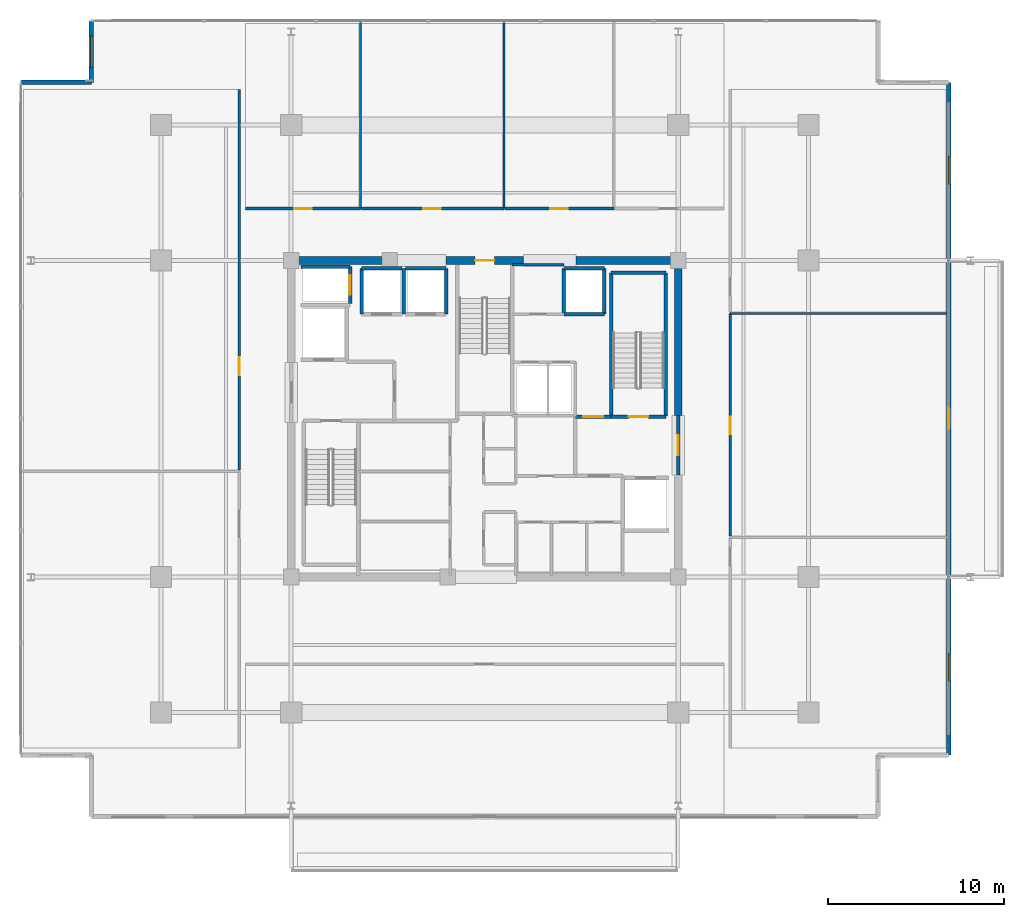
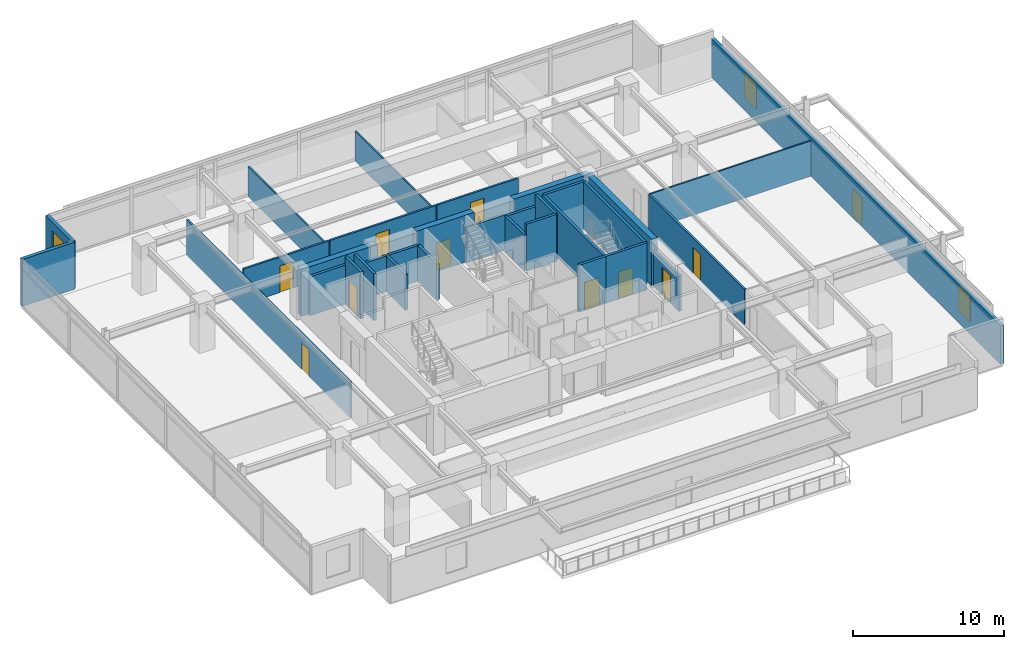
# One storey, part 18 of 24: 33 walls, 11 doors, 3 windows, 14 openings.
"""IFC4 building model written with IfcOpenShell, lengths in metres."""

from ifc_helpers import new_model, si_unit, direction, frame, frame_2d, origin, place, context, subcontext, project, spatial, rectangle, extrude, material, layer, layer_set, type_object, element, fill, save


model = new_model("IFC4")

# Units and contexts
model_context = context("Model", 3, precision=1e-05, world=origin(), true_north=direction((0.0, 1.0)))
body_context = subcontext(model_context, "Body", "Model", "MODEL_VIEW")
ifc_project = project(units=[si_unit("LENGTHUNIT", "METRE"), si_unit("AREAUNIT", "SQUARE_METRE"), si_unit("VOLUMEUNIT", "CUBIC_METRE"), si_unit("PLANEANGLEUNIT", "RADIAN"), si_unit("MASSUNIT", "GRAM", prefix="KILO")], contexts=[model_context])

# Site, building, storey
site_placement = place(None, origin())
site = spatial("IfcSite", under=ifc_project, at=site_placement, CompositionType="ELEMENT")
building_placement = place(site_placement, origin())
building = spatial("IfcBuilding", under=site, at=building_placement, Name="Kovane Verandah Tower", CompositionType="ELEMENT")
storey_placement = place(building_placement, frame((0.0, 0.0, 259.199951171875)))
storey = spatial("IfcBuildingStorey", under=building, at=storey_placement, Name="L60", CompositionType="ELEMENT", Elevation=259.199951171875)

# Wall
ifc_material_1 = material(Name="Fire-Rated Gypsum Stud Partition", Category="gypsum")
ifc_layer_1 = layer(ifc_material_1, 0.14990234375)
ifc_layer_set_1 = layer_set([ifc_layer_1], Name="Fire-Rated Gypsum Stud Partition")
wall_type_1 = type_object("IfcWallType", Name="WL-COR-150", PredefinedType="PARTITIONING", material=ifc_layer_set_1)
wall_1_placement = place(storey_placement, frame((41.56005859375, 36.25, 0.0), z_axis=(0.0, 0.0, 1.0), x_axis=(1.0, 0.0, 0.0)))
element("IfcWall", 1, at=wall_1_placement, inside=storey, type_object=wall_type_1, Name="L60 Sky Telecom Riser North Wall", PredefinedType="PARTITIONING", context=body_context, shape_type="SweptSolid", body=[
    extrude(rectangle(XDim=2.93994140625, YDim=0.14990234375, at=frame_2d((1.469970703125, 0.0))), origin(), (0.0, 0.0, 1.0), 2.85009765625),
])

# Wall, opening, door
wall_2_placement = place(storey_placement, frame((26.39990234375, 39.449951171875, 0.0), z_axis=(0.0, 0.0, 1.0), x_axis=(1.0, 0.0, 0.0)))
wall_2 = element("IfcWall", 2, at=wall_2_placement, inside=storey, type_object=wall_type_1, Name="L60 Breakout Pantry N1 Corridor Partition", PredefinedType="PARTITIONING", context=body_context, shape_type="SweptSolid", body=[
    extrude(rectangle(XDim=6.528076171875, YDim=0.14990234375, at=frame_2d((3.26416015625, 0.0))), origin(), (0.0, 0.0, 1.0), 2.85009765625),
])
opening_1_placement = place(wall_2_placement, frame((2.779052734375, 0.0, 0.0)))
opening_1 = element("IfcOpeningElement", 3, at=opening_1_placement, cuts=wall_2, Name="Opening DR-L60-024", PredefinedType="OPENING", context=body_context, shape_type="SweptSolid", body=[
    extrude(rectangle(XDim=1.0, YDim=2.14990234375, at=frame_2d((0.5, 1.074951171875))), frame((0.0, 0.074951171875, 0.0), z_axis=(0.0, -1.0, 0.0), x_axis=(1.0, 0.0, 0.0)), (0.0, 0.0, 1.0), 0.14990234375),
])
ifc_material_2 = material(Name="FSC Spotted-Gum Timber Fire-Rated Office Door", Category="wood")
door_type_1 = type_object("IfcDoorType", Name="DR-OFF-1000", OperationType="SINGLE_SWING_LEFT", PredefinedType="DOOR", material=ifc_material_2)
door_1_placement = place(opening_1_placement, origin())
door_1 = element("IfcDoor", 4, at=door_1_placement, inside=storey, type_object=door_type_1, Name="L60 Breakout Pantry N1 Entrance Door", OperationType="SINGLE_SWING_LEFT", OverallHeight=2.14990234375, OverallWidth=1.0, PredefinedType="DOOR", context=body_context, shape_type="SweptSolid", body=[
    extrude(rectangle(XDim=1.0, YDim=2.14990234375, at=frame_2d((0.5, 1.074951171875))), frame((0.0, 0.02490234375, 0.0), z_axis=(0.0, -1.0, 0.0), x_axis=(1.0, 0.0, 0.0)), (0.0, 0.0, 1.0), 0.050048828125),
])
fill(opening_1, door_1)

wall_3_placement = place(storey_placement, frame((32.998046875, 39.449951171875, 0.0), z_axis=(0.0, 0.0, 1.0), x_axis=(1.0, 0.0, 0.0)))
wall_3 = element("IfcWall", 5, at=wall_3_placement, inside=storey, type_object=wall_type_1, Name="L60 Collaboration Hub N2 Corridor Partition", PredefinedType="PARTITIONING", context=body_context, shape_type="SweptSolid", body=[
    extrude(rectangle(XDim=8.08984375, YDim=0.14990234375, at=frame_2d((4.044921875, 0.0))), origin(), (0.0, 0.0, 1.0), 2.85009765625),
])
opening_2_placement = place(wall_3_placement, frame((3.510009765625, 0.0, 0.0)))
opening_2 = element("IfcOpeningElement", 6, at=opening_2_placement, cuts=wall_3, Name="Opening DR-L60-025", PredefinedType="OPENING", context=body_context, shape_type="SweptSolid", body=[
    extrude(rectangle(XDim=1.0, YDim=2.14990234375, at=frame_2d((0.5, 1.074951171875))), frame((0.0, 0.074951171875, 0.0), z_axis=(0.0, -1.0, 0.0), x_axis=(1.0, 0.0, 0.0)), (0.0, 0.0, 1.0), 0.14990234375),
])
door_2_placement = place(opening_2_placement, origin())
door_2 = element("IfcDoor", 7, at=door_2_placement, inside=storey, type_object=door_type_1, Name="L60 Collaboration Hub N2 Entrance Door", OperationType="SINGLE_SWING_RIGHT", OverallHeight=2.14990234375, OverallWidth=1.0, PredefinedType="DOOR", context=body_context, shape_type="SweptSolid", body=[
    extrude(rectangle(XDim=1.0, YDim=2.14990234375, at=frame_2d((0.5, 1.074951171875))), frame((0.0, 0.02490234375, 0.0), z_axis=(0.0, -1.0, 0.0), x_axis=(1.0, 0.0, 0.0)), (0.0, 0.0, 1.0), 0.050048828125),
])
fill(opening_2, door_2)

wall_4_placement = place(storey_placement, frame((41.157958984375, 39.449951171875, 0.0), z_axis=(0.0, 0.0, 1.0), x_axis=(1.0, 0.0, 0.0)))
wall_4 = element("IfcWall", 8, at=wall_4_placement, inside=storey, type_object=wall_type_1, Name="L60 Document and Print Room N3 Corridor Partition", PredefinedType="PARTITIONING", context=body_context, shape_type="SweptSolid", body=[
    extrude(rectangle(XDim=6.18603515625, YDim=0.14990234375, at=frame_2d((3.093017578125, 0.0))), origin(), (0.0, 0.0, 1.0), 2.85009765625),
])
opening_3_placement = place(wall_4_placement, frame((2.55810546875, 0.0, 0.0)))
opening_3 = element("IfcOpeningElement", 9, at=opening_3_placement, cuts=wall_4, Name="Opening DR-L60-026", PredefinedType="OPENING", context=body_context, shape_type="SweptSolid", body=[
    extrude(rectangle(XDim=1.0, YDim=2.14990234375, at=frame_2d((0.5, 1.074951171875))), frame((0.0, 0.074951171875, 0.0), z_axis=(0.0, -1.0, 0.0), x_axis=(1.0, 0.0, 0.0)), (0.0, 0.0, 1.0), 0.14990234375),
])
door_3_placement = place(opening_3_placement, origin())
door_3 = element("IfcDoor", 10, at=door_3_placement, inside=storey, type_object=door_type_1, Name="L60 Document and Print Room N3 Entrance Door", OperationType="SINGLE_SWING_LEFT", OverallHeight=2.14990234375, OverallWidth=1.0, PredefinedType="DOOR", context=body_context, shape_type="SweptSolid", body=[
    extrude(rectangle(XDim=1.0, YDim=2.14990234375, at=frame_2d((0.5, 1.074951171875))), frame((0.0, 0.02490234375, 0.0), z_axis=(0.0, -1.0, 0.0), x_axis=(1.0, 0.0, 0.0)), (0.0, 0.0, 1.0), 0.050048828125),
])
fill(opening_3, door_3)

wall_5_placement = place(storey_placement, frame((26.050048828125, 24.5751953125, 0.0), z_axis=(0.0, 0.0, 1.0), x_axis=(0.0, 1.0, 0.0)))
wall_5 = element("IfcWall", 11, at=wall_5_placement, inside=storey, type_object=wall_type_1, Name="L60 Meeting Room W2 Corridor Partition", PredefinedType="PARTITIONING", context=body_context, shape_type="SweptSolid", body=[
    extrude(rectangle(XDim=21.64306640625, YDim=0.14990234375, at=frame_2d((10.821533203125, 0.0))), origin(), (0.0, 0.0, 1.0), 2.85009765625),
])
opening_4_placement = place(wall_5_placement, frame((5.412353515625, 0.0, 0.0)))
opening_4 = element("IfcOpeningElement", 12, at=opening_4_placement, cuts=wall_5, Name="Opening DR-L60-033", PredefinedType="OPENING", context=body_context, shape_type="SweptSolid", body=[
    extrude(rectangle(XDim=1.0, YDim=2.14990234375, at=frame_2d((0.5, 1.074951171875))), frame((0.0, 0.074951171875, 0.0), z_axis=(0.0, -1.0, 0.0), x_axis=(1.0, 0.0, 0.0)), (0.0, 0.0, 1.0), 0.14990234375),
])
door_4_placement = place(opening_4_placement, origin())
door_4 = element("IfcDoor", 13, at=door_4_placement, inside=storey, type_object=door_type_1, Name="L60 Meeting Room W2 Entrance Door", OperationType="SINGLE_SWING_LEFT", OverallHeight=2.14990234375, OverallWidth=1.0, PredefinedType="DOOR", context=body_context, shape_type="SweptSolid", body=[
    extrude(rectangle(XDim=1.0, YDim=2.14990234375, at=frame_2d((0.5, 1.074951171875))), frame((0.0, 0.02490234375, 0.0), z_axis=(0.0, -1.0, 0.0), x_axis=(1.0, 0.0, 0.0)), (0.0, 0.0, 1.0), 0.050048828125),
])
fill(opening_4, door_4)

wall_6_placement = place(storey_placement, frame((53.949951171875, 20.831298828125, 0.0), z_axis=(0.0, 0.0, 1.0), x_axis=(0.0, 1.0, 0.0)))
wall_6 = element("IfcWall", 14, at=wall_6_placement, inside=storey, type_object=wall_type_1, Name="L60 Breakout Pantry E2 Corridor Partition", PredefinedType="PARTITIONING", context=body_context, shape_type="SweptSolid", body=[
    extrude(rectangle(XDim=12.658447265625, YDim=0.14990234375, at=frame_2d((6.3291015625, 0.0))), origin(), (0.0, 0.0, 1.0), 2.85009765625),
])
opening_5_placement = place(wall_6_placement, frame((5.794189453125, 0.0, 0.0)))
opening_5 = element("IfcOpeningElement", 15, at=opening_5_placement, cuts=wall_6, Name="Opening DR-L60-012", PredefinedType="OPENING", context=body_context, shape_type="SweptSolid", body=[
    extrude(rectangle(XDim=1.0, YDim=2.14990234375, at=frame_2d((0.5, 1.074951171875))), frame((0.0, 0.074951171875, 0.0), z_axis=(0.0, -1.0, 0.0), x_axis=(1.0, 0.0, 0.0)), (0.0, 0.0, 1.0), 0.14990234375),
])
door_5_placement = place(opening_5_placement, origin())
door_5 = element("IfcDoor", 16, at=door_5_placement, inside=storey, type_object=door_type_1, Name="L60 Breakout Pantry E2 Entrance Door", OperationType="SINGLE_SWING_LEFT", OverallHeight=2.14990234375, OverallWidth=1.0, PredefinedType="DOOR", context=body_context, shape_type="SweptSolid", body=[
    extrude(rectangle(XDim=1.0, YDim=2.14990234375, at=frame_2d((0.5, 1.074951171875))), frame((0.0, 0.02490234375, 0.0), z_axis=(0.0, -1.0, 0.0), x_axis=(1.0, 0.0, 0.0)), (0.0, 0.0, 1.0), 0.050048828125),
])
fill(opening_5, door_5)

# Wall
ifc_material_3 = material(Name="Concrete C60/75", Category="concrete")
ifc_layer_2 = layer(ifc_material_3, 0.449951171875)
ifc_layer_set_2 = layer_set([ifc_layer_2], Name="Concrete C60/75")
wall_type_2 = type_object("IfcWallType", Name="WL-CORE-450", PredefinedType="SHEAR", material=ifc_layer_set_2)
wall_7_placement = place(storey_placement, frame((29.0, 36.5, 0.0), z_axis=(0.0, 0.0, 1.0), x_axis=(1.0, 0.0, 0.0)))
element("IfcWall", 17, at=wall_7_placement, inside=storey, type_object=wall_type_2, Name="L60 Core Shear Wall CN-1", PredefinedType="SHEAR", context=body_context, shape_type="SweptSolid", body=[
    extrude(rectangle(XDim=5.800048828125, YDim=0.449951171875, at=frame_2d((2.89990234375, 0.0))), origin(), (0.0, 0.0, 1.0), 3.78515625),
])

# Wall, opening, door
wall_8_placement = place(storey_placement, frame((37.800048828125, 36.5, 0.0), z_axis=(0.0, 0.0, 1.0), x_axis=(1.0, 0.0, 0.0)))
wall_8 = element("IfcWall", 18, at=wall_8_placement, inside=storey, type_object=wall_type_2, Name="L60 Core Shear Wall CN-2", PredefinedType="SHEAR", context=body_context, shape_type="SweptSolid", body=[
    extrude(rectangle(XDim=4.39990234375, YDim=0.449951171875, at=frame_2d((2.199951171875, 0.0))), origin(), (0.0, 0.0, 1.0), 3.78515625),
])
opening_6_placement = place(wall_8_placement, frame((1.64990234375, 0.0, 0.0)))
opening_6 = element("IfcOpeningElement", 19, at=opening_6_placement, cuts=wall_8, Name="Opening DR-L60-010", PredefinedType="OPENING", context=body_context, shape_type="SweptSolid", body=[
    extrude(rectangle(XDim=1.10009765625, YDim=2.14990234375, at=frame_2d((0.550048828125, 1.074951171875))), frame((0.0, 0.22509765625, 0.0), z_axis=(0.0, -1.0, 0.0), x_axis=(1.0, 0.0, 0.0)), (0.0, 0.0, 1.0), 0.449951171875),
])
ifc_material_4 = material(Name="Fire-Rated Steel Exit Door", Category="steel")
door_type_2 = type_object("IfcDoorType", Name="DR-STAIR-1100", OperationType="SINGLE_SWING_LEFT", PredefinedType="DOOR", material=ifc_material_4)
door_6_placement = place(opening_6_placement, origin())
door_6 = element("IfcDoor", 20, at=door_6_placement, inside=storey, type_object=door_type_2, Name="L60 ST-03 Fire Exit Stair Door", OperationType="SINGLE_SWING_LEFT", OverallHeight=2.14990234375, OverallWidth=1.10009765625, PredefinedType="DOOR", context=body_context, shape_type="SweptSolid", body=[
    extrude(rectangle(XDim=1.10009765625, YDim=2.14990234375, at=frame_2d((0.550048828125, 1.074951171875))), frame((0.0, 0.02490234375, 0.0), z_axis=(0.0, -1.0, 0.0), x_axis=(1.0, 0.0, 0.0)), (0.0, 0.0, 1.0), 0.050048828125),
])
fill(opening_6, door_6)

# Walls
wall_9_placement = place(storey_placement, frame((45.199951171875, 36.5, 0.0), z_axis=(0.0, 0.0, 1.0), x_axis=(1.0, 0.0, 0.0)))
element("IfcWall", 21, at=wall_9_placement, inside=storey, type_object=wall_type_2, Name="L60 Core Shear Wall CN-3", PredefinedType="SHEAR", context=body_context, shape_type="SweptSolid", body=[
    extrude(rectangle(XDim=5.800048828125, YDim=0.449951171875, at=frame_2d((2.89990234375, 0.0))), origin(), (0.0, 0.0, 1.0), 3.78515625),
])
wall_10_placement = place(storey_placement, frame((51.0, 27.699951171875, 0.0), z_axis=(0.0, 0.0, 1.0), x_axis=(0.0, 1.0, 0.0)))
element("IfcWall", 22, at=wall_10_placement, inside=storey, type_object=wall_type_2, Name="L60 Core Shear Wall CE-2", PredefinedType="SHEAR", context=body_context, shape_type="SweptSolid", body=[
    extrude(rectangle(XDim=8.800048828125, YDim=0.449951171875, at=frame_2d((4.39990234375, 0.0))), origin(), (0.0, 0.0, 1.0), 3.78515625),
])

# Wall, opening, door
ifc_material_5 = material(Name="Concrete C45/55 Fire Wall", Category="concrete")
ifc_layer_3 = layer(ifc_material_5, 0.199951171875)
ifc_layer_set_3 = layer_set([ifc_layer_3], Name="Concrete C45/55 Fire Wall")
wall_type_3 = type_object("IfcWallType", Name="WL-FFL-200", PredefinedType="PARTITIONING", material=ifc_layer_set_3)
wall_11_placement = place(storey_placement, frame((45.14990234375, 27.6201171875, 0.0), z_axis=(0.0, 0.0, 1.0), x_axis=(1.0, 0.0, 0.0)))
wall_11 = element("IfcWall", 23, at=wall_11_placement, inside=storey, type_object=wall_type_3, Name="W-L60-FFLE-N", PredefinedType="PARTITIONING", context=body_context, shape_type="SweptSolid", body=[
    extrude(rectangle(XDim=2.030029296875, YDim=0.199951171875, at=frame_2d((1.01513671875, 0.0))), origin(), (0.0, 0.0, 1.0), 3.78515625),
])
opening_7_placement = place(wall_11_placement, frame((0.43994140625, 0.0, 0.0)))
opening_7 = element("IfcOpeningElement", 24, at=opening_7_placement, cuts=wall_11, Name="Opening DR-L60-004", PredefinedType="OPENING", context=body_context, shape_type="SweptSolid", body=[
    extrude(rectangle(XDim=1.14990234375, YDim=2.199951171875, at=frame_2d((0.574951171875, 1.10009765625))), frame((0.0, 0.10009765625, 0.0), z_axis=(0.0, -1.0, 0.0), x_axis=(1.0, 0.0, 0.0)), (0.0, 0.0, 1.0), 0.199951171875),
])
ifc_material_6 = material(Name="Smoke-Sealed Firefighting Lobby Door", Category="steel")
door_type_3 = type_object("IfcDoorType", Name="DR-FFL-1150", OperationType="SINGLE_SWING_LEFT", PredefinedType="DOOR", material=ifc_material_6)
door_7_placement = place(opening_7_placement, origin())
door_7 = element("IfcDoor", 25, at=door_7_placement, inside=storey, type_object=door_type_3, Name="L60 East Firefighting Lobby Shuttle Link Door", OperationType="SINGLE_SWING_LEFT", OverallHeight=2.199951171875, OverallWidth=1.14990234375, PredefinedType="DOOR", context=body_context, shape_type="SweptSolid", body=[
    extrude(rectangle(XDim=1.14990234375, YDim=2.199951171875, at=frame_2d((0.574951171875, 1.10009765625))), frame((0.0, 0.02490234375, 0.0), z_axis=(0.0, -1.0, 0.0), x_axis=(1.0, 0.0, 0.0)), (0.0, 0.0, 1.0), 0.050048828125),
])
fill(opening_7, door_7)

wall_12_placement = place(storey_placement, frame((51.0, 24.300048828125, 0.0), z_axis=(0.0, 0.0, 1.0), x_axis=(0.0, 1.0, 0.0)))
wall_12 = element("IfcWall", 26, at=wall_12_placement, inside=storey, type_object=wall_type_3, Name="W-L60-FFLE-OUT", PredefinedType="PARTITIONING", context=body_context, shape_type="SweptSolid", body=[
    extrude(rectangle(XDim=3.39990234375, YDim=0.199951171875, at=frame_2d((1.699951171875, 0.0))), origin(), (0.0, 0.0, 1.0), 2.864990234375),
])
opening_8_placement = place(wall_12_placement, frame((1.125, 0.0, 0.0)))
opening_8 = element("IfcOpeningElement", 27, at=opening_8_placement, cuts=wall_12, Name="Opening DR-L60-005", PredefinedType="OPENING", context=body_context, shape_type="SweptSolid", body=[
    extrude(rectangle(XDim=1.14990234375, YDim=2.199951171875, at=frame_2d((0.574951171875, 1.10009765625))), frame((0.0, 0.10009765625, 0.0), z_axis=(0.0, -1.0, 0.0), x_axis=(1.0, 0.0, 0.0)), (0.0, 0.0, 1.0), 0.199951171875),
])
door_8_placement = place(opening_8_placement, origin())
door_8 = element("IfcDoor", 28, at=door_8_placement, inside=storey, type_object=door_type_3, Name="L60 East Firefighting Lobby Corridor Door", OperationType="SINGLE_SWING_LEFT", OverallHeight=2.199951171875, OverallWidth=1.14990234375, PredefinedType="DOOR", context=body_context, shape_type="SweptSolid", body=[
    extrude(rectangle(XDim=1.14990234375, YDim=2.199951171875, at=frame_2d((0.574951171875, 1.10009765625))), frame((0.0, 0.02490234375, 0.0), z_axis=(0.0, -1.0, 0.0), x_axis=(1.0, 0.0, 0.0)), (0.0, 0.0, 1.0), 0.050048828125),
])
fill(opening_8, door_8)

# Wall
ifc_material_7 = material(Name="Concrete C45/55 Lift Shaft Wall", Category="concrete")
ifc_layer_4 = layer(ifc_material_7, 0.199951171875)
ifc_layer_set_4 = layer_set([ifc_layer_4], Name="Concrete C45/55 Lift Shaft Wall")
wall_type_4 = type_object("IfcWallType", Name="WL-LIFT-200", PredefinedType="SOLIDWALL", material=ifc_layer_set_4)
wall_13_placement = place(storey_placement, frame((32.35009765625, 36.14990234375, 0.0), z_axis=(0.0, 0.0, 1.0), x_axis=(-1.0, 0.0, 0.0)))
element("IfcWall", 29, at=wall_13_placement, inside=storey, type_object=wall_type_4, Name="L60 Lift GL-01 N Shaft Wall", PredefinedType="SOLIDWALL", context=body_context, shape_type="SweptSolid", body=[
    extrude(rectangle(XDim=2.800048828125, YDim=0.199951171875, at=frame_2d((1.39990234375, 0.0))), origin(), (0.0, 0.0, 1.0), 3.14794921875),
])

# Wall, opening, door
wall_14_placement = place(storey_placement, frame((32.35009765625, 34.050048828125, 0.0), z_axis=(0.0, 0.0, 1.0), x_axis=(0.0, 1.0, 0.0)))
wall_14 = element("IfcWall", 30, at=wall_14_placement, inside=storey, type_object=wall_type_4, Name="L60 Lift GL-01 E Shaft Wall", PredefinedType="SOLIDWALL", context=body_context, shape_type="SweptSolid", body=[
    extrude(rectangle(XDim=2.099853515625, YDim=0.199951171875, at=frame_2d((1.0498046875, 0.0))), origin(), (0.0, 0.0, 1.0), 3.78515625),
])
opening_9_placement = place(wall_14_placement, frame((0.5, 0.0, 0.0)))
opening_9 = element("IfcOpeningElement", 31, at=opening_9_placement, cuts=wall_14, Name="Opening LD-L60-003", PredefinedType="OPENING", context=body_context, shape_type="SweptSolid", body=[
    extrude(rectangle(XDim=1.10009765625, YDim=2.199951171875, at=frame_2d((0.550048828125, 1.10009765625))), frame((0.0, 0.10009765625, 0.0), z_axis=(0.0, -1.0, 0.0), x_axis=(1.0, 0.0, 0.0)), (0.0, 0.0, 1.0), 0.199951171875),
])
ifc_material_8 = material(Name="Brushed Stainless Steel Sliding Lift Landing Door", Category="steel")
door_type_4 = type_object("IfcDoorType", Name="DR-LIFT-1100", OperationType="SLIDING_TO_RIGHT", PredefinedType="DOOR", material=ifc_material_8)
door_9_placement = place(opening_9_placement, origin())
door_9 = element("IfcDoor", 32, at=door_9_placement, inside=storey, type_object=door_type_4, Name="L60 Lift GL-01 Sliding Landing Door", OperationType="SLIDING_TO_RIGHT", OverallHeight=2.199951171875, OverallWidth=1.10009765625, PredefinedType="DOOR", context=body_context, shape_type="SweptSolid", body=[
    extrude(rectangle(XDim=1.10009765625, YDim=2.199951171875, at=frame_2d((0.550048828125, 1.10009765625))), frame((0.0, 0.02490234375, 0.0), z_axis=(0.0, -1.0, 0.0), x_axis=(1.0, 0.0, 0.0)), (0.0, 0.0, 1.0), 0.050048828125),
])
fill(opening_9, door_9)

# Walls
wall_15_placement = place(storey_placement, frame((35.300048828125, 36.050048828125, 0.0), z_axis=(0.0, 0.0, 1.0), x_axis=(-1.0, 0.0, 0.0)))
element("IfcWall", 33, at=wall_15_placement, inside=storey, type_object=wall_type_4, Name="L60 Lift PL-H1 N Shaft Wall", PredefinedType="SOLIDWALL", context=body_context, shape_type="SweptSolid", body=[
    extrude(rectangle(XDim=2.300048828125, YDim=0.199951171875, at=frame_2d((1.14990234375, 0.0))), origin(), (0.0, 0.0, 1.0), 2.864990234375),
])
wall_16_placement = place(storey_placement, frame((33.0, 36.050048828125, 0.0), z_axis=(0.0, 0.0, 1.0), x_axis=(0.0, -1.0, 0.0)))
element("IfcWall", 34, at=wall_16_placement, inside=storey, type_object=wall_type_4, Name="L60 Lift PL-H1 W Shaft Wall", PredefinedType="SOLIDWALL", context=body_context, shape_type="SweptSolid", body=[
    extrude(rectangle(XDim=2.60009765625, YDim=0.199951171875, at=frame_2d((1.300048828125, 0.0))), origin(), (0.0, 0.0, 1.0), 3.78515625),
])
wall_17_placement = place(storey_placement, frame((35.39990234375, 33.449951171875, 0.0), z_axis=(0.0, 0.0, 1.0), x_axis=(0.0, 1.0, 0.0)))
element("IfcWall", 35, at=wall_17_placement, inside=storey, type_object=wall_type_4, Name="L60 Lift PL-H1 and PL-H2 Shared Shaft Wall", PredefinedType="SOLIDWALL", context=body_context, shape_type="SweptSolid", body=[
    extrude(rectangle(XDim=2.60009765625, YDim=0.199951171875, at=frame_2d((1.300048828125, 0.0))), origin(), (0.0, 0.0, 1.0), 2.864990234375),
])
wall_18_placement = place(storey_placement, frame((37.800048828125, 36.050048828125, 0.0), z_axis=(0.0, 0.0, 1.0), x_axis=(-1.0, 0.0, 0.0)))
element("IfcWall", 36, at=wall_18_placement, inside=storey, type_object=wall_type_4, Name="L60 Lift PL-H2 N Shaft Wall", PredefinedType="SOLIDWALL", context=body_context, shape_type="SweptSolid", body=[
    extrude(rectangle(XDim=2.300048828125, YDim=0.199951171875, at=frame_2d((1.14990234375, 0.0))), origin(), (0.0, 0.0, 1.0), 2.864990234375),
])
wall_19_placement = place(storey_placement, frame((37.800048828125, 33.449951171875, 0.0), z_axis=(0.0, 0.0, 1.0), x_axis=(0.0, 1.0, 0.0)))
element("IfcWall", 37, at=wall_19_placement, inside=storey, type_object=wall_type_4, Name="L60 Lift PL-H2 E Shaft Wall", PredefinedType="SOLIDWALL", context=body_context, shape_type="SweptSolid", body=[
    extrude(rectangle(XDim=2.60009765625, YDim=0.199951171875, at=frame_2d((1.300048828125, 0.0))), origin(), (0.0, 0.0, 1.0), 2.864990234375),
])
wall_20_placement = place(storey_placement, frame((44.5, 33.449951171875, 0.0), z_axis=(0.0, 0.0, 1.0), x_axis=(1.0, 0.0, 0.0)))
element("IfcWall", 38, at=wall_20_placement, inside=storey, type_object=wall_type_4, Name="L60 Lift OL-01 S Shaft Wall", PredefinedType="SOLIDWALL", context=body_context, shape_type="SweptSolid", body=[
    extrude(rectangle(XDim=2.300048828125, YDim=0.199951171875, at=frame_2d((1.14990234375, 0.0))), origin(), (0.0, 0.0, 1.0), 3.78515625),
])
wall_21_placement = place(storey_placement, frame((46.800048828125, 36.050048828125, 0.0), z_axis=(0.0, 0.0, 1.0), x_axis=(-1.0, 0.0, 0.0)))
element("IfcWall", 39, at=wall_21_placement, inside=storey, type_object=wall_type_4, Name="L60 Lift OL-01 N Shaft Wall", PredefinedType="SOLIDWALL", context=body_context, shape_type="SweptSolid", body=[
    extrude(rectangle(XDim=2.300048828125, YDim=0.199951171875, at=frame_2d((1.14990234375, 0.0))), origin(), (0.0, 0.0, 1.0), 2.864990234375),
])
wall_22_placement = place(storey_placement, frame((44.5, 36.050048828125, 0.0), z_axis=(0.0, 0.0, 1.0), x_axis=(0.0, -1.0, 0.0)))
element("IfcWall", 40, at=wall_22_placement, inside=storey, type_object=wall_type_4, Name="L60 Lift OL-01 W Shaft Wall", PredefinedType="SOLIDWALL", context=body_context, shape_type="SweptSolid", body=[
    extrude(rectangle(XDim=2.60009765625, YDim=0.199951171875, at=frame_2d((1.300048828125, 0.0))), origin(), (0.0, 0.0, 1.0), 2.864990234375),
])
wall_23_placement = place(storey_placement, frame((46.800048828125, 33.449951171875, 0.0), z_axis=(0.0, 0.0, 1.0), x_axis=(0.0, 1.0, 0.0)))
element("IfcWall", 41, at=wall_23_placement, inside=storey, type_object=wall_type_4, Name="L60 Lift OL-01 E Shaft Wall", PredefinedType="SOLIDWALL", context=body_context, shape_type="SweptSolid", body=[
    extrude(rectangle(XDim=2.60009765625, YDim=0.199951171875, at=frame_2d((1.300048828125, 0.0))), origin(), (0.0, 0.0, 1.0), 3.78515625),
])
ifc_material_9 = material(Name="Acoustic Fire-Rated Gypsum Partition", Category="gypsum")
ifc_layer_5 = layer(ifc_material_9, 0.1201171875)
ifc_layer_set_5 = layer_set([ifc_layer_5], Name="Acoustic Fire-Rated Gypsum Partition")
wall_type_5 = type_object("IfcWallType", Name="WL-PART-120", PredefinedType="PARTITIONING", material=ifc_layer_set_5)
for number, where, z_axis, x_axis, name in (
    (42, (32.927978515625, 39.449951171875, 0.0), (0.0, 0.0, 1.0), (0.0, 1.0, 0.0), "L60 Breakout Pantry N1 Dividing Partition"),
    (43, (41.087890625, 39.449951171875, 0.0), (0.0, 0.0, 1.0), (0.0, 1.0, 0.0), "L60 Collaboration Hub N2 Dividing Partition"),
):
    element("IfcWall", number, at=place(storey_placement, frame(where, z_axis=z_axis, x_axis=x_axis)), inside=storey, type_object=wall_type_5, Name=name, PredefinedType="PARTITIONING", context=body_context, shape_type="SweptSolid", body=[
        extrude(rectangle(XDim=10.568359375, YDim=0.1201171875, at=frame_2d((5.2841796875, 0.0))), origin(), (0.0, 0.0, 1.0), 2.4150390625),
    ])
wall_24_placement = place(storey_placement, frame((53.949951171875, 33.48974609375, 0.0), z_axis=(0.0, 0.0, 1.0), x_axis=(1.0, 0.0, 0.0)))
element("IfcWall", 44, at=wall_24_placement, inside=storey, type_object=wall_type_5, Name="L60 Breakout Pantry E2 Dividing Partition", PredefinedType="PARTITIONING", context=body_context, shape_type="SweptSolid", body=[
    extrude(rectangle(XDim=12.316650390625, YDim=0.1201171875, at=frame_2d((6.158203125, 0.0))), origin(), (0.0, 0.0, 1.0), 2.85009765625),
])
ifc_material_10 = material(Name="Concrete C45/55", Category="concrete")
ifc_layer_6 = layer(ifc_material_10, 0.199951171875)
ifc_layer_set_6 = layer_set([ifc_layer_6], Name="Concrete C45/55")
wall_type_6 = type_object("IfcWallType", Name="WL-SHAFT-200", PredefinedType="SOLIDWALL", material=ifc_layer_set_6)
wall_25_placement = place(storey_placement, frame((50.300048828125, 27.64990234375, 0.0), z_axis=(0.0, 0.0, 1.0), x_axis=(0.0, 1.0, 0.0)))
element("IfcWall", 45, at=wall_25_placement, inside=storey, type_object=wall_type_6, Name="W-L60-ST02-E", PredefinedType="SOLIDWALL", context=body_context, shape_type="SweptSolid", body=[
    extrude(rectangle(XDim=8.150146484375, YDim=0.199951171875, at=frame_2d((4.0751953125, 0.0))), origin(), (0.0, 0.0, 1.0), 3.78515625),
])
wall_26_placement = place(storey_placement, frame((47.179931640625, 35.800048828125, 0.0), z_axis=(0.0, 0.0, 1.0), x_axis=(1.0, 0.0, 0.0)))
element("IfcWall", 46, at=wall_26_placement, inside=storey, type_object=wall_type_6, Name="W-L60-ST02-N", PredefinedType="SOLIDWALL", context=body_context, shape_type="SweptSolid", body=[
    extrude(rectangle(XDim=3.1201171875, YDim=0.199951171875, at=frame_2d((1.56005859375, 0.0))), origin(), (0.0, 0.0, 1.0), 3.78515625),
])
wall_27_placement = place(storey_placement, frame((47.179931640625, 27.6201171875, 0.0), z_axis=(0.0, 0.0, 1.0), x_axis=(0.0, 1.0, 0.0)))
element("IfcWall", 47, at=wall_27_placement, inside=storey, type_object=wall_type_6, Name="W-L60-ST02-W", PredefinedType="SOLIDWALL", context=body_context, shape_type="SweptSolid", body=[
    extrude(rectangle(XDim=8.179931640625, YDim=0.199951171875, at=frame_2d((4.08984375, 0.0))), origin(), (0.0, 0.0, 1.0), 3.78515625),
])

# Wall, opening, door
wall_28_placement = place(storey_placement, frame((47.179931640625, 27.6201171875, 0.0), z_axis=(0.0, 0.0, 1.0), x_axis=(1.0, 0.0, 0.0)))
wall_28 = element("IfcWall", 48, at=wall_28_placement, inside=storey, type_object=wall_type_6, Name="W-L60-ST02-S", PredefinedType="SOLIDWALL", context=body_context, shape_type="SweptSolid", body=[
    extrude(rectangle(XDim=3.1201171875, YDim=0.199951171875, at=frame_2d((1.56005859375, 0.0))), origin(), (0.0, 0.0, 1.0), 3.78515625),
])
opening_10_placement = place(wall_28_placement, frame((1.010009765625, 0.0, 0.0)))
opening_10 = element("IfcOpeningElement", 49, at=opening_10_placement, cuts=wall_28, Name="Opening DR-L60-009", PredefinedType="OPENING", context=body_context, shape_type="SweptSolid", body=[
    extrude(rectangle(XDim=1.10009765625, YDim=2.14990234375, at=frame_2d((0.550048828125, 1.074951171875))), frame((0.0, 0.10009765625, 0.0), z_axis=(0.0, -1.0, 0.0), x_axis=(1.0, 0.0, 0.0)), (0.0, 0.0, 1.0), 0.199951171875),
])
door_10_placement = place(opening_10_placement, origin())
door_10 = element("IfcDoor", 50, at=door_10_placement, inside=storey, type_object=door_type_2, Name="L60 ST-02 Fire Exit Stair Door", OperationType="SINGLE_SWING_RIGHT", OverallHeight=2.14990234375, OverallWidth=1.10009765625, PredefinedType="DOOR", context=body_context, shape_type="SweptSolid", body=[
    extrude(rectangle(XDim=1.10009765625, YDim=2.14990234375, at=frame_2d((0.550048828125, 1.074951171875))), frame((0.0, 0.02490234375, 0.0), z_axis=(0.0, -1.0, 0.0), x_axis=(1.0, 0.0, 0.0)), (0.0, 0.0, 1.0), 0.050048828125),
])
fill(opening_10, door_10)

# Wall, openings, door, windows
ifc_material_11 = material(Name="Concrete C45/55 Insulated Spandrel Wall", Category="concrete")
ifc_layer_7 = layer(ifc_material_11, 0.260009765625)
ifc_layer_set_7 = layer_set([ifc_layer_7], Name="Concrete C45/55 Insulated Spandrel Wall")
wall_type_7 = type_object("IfcWallType", Name="WL-SPANDREL-260", PredefinedType="PARAPET", material=ifc_layer_set_7)
wall_29_placement = place(storey_placement, frame((66.366455078125, 8.3818359375, 0.0), z_axis=(0.0, 0.0, 1.0), x_axis=(0.0, 1.0, 0.0)))
wall_29 = element("IfcWall", 51, at=wall_29_placement, inside=storey, type_object=wall_type_7, Name="L60 E Verandah Access Facade Wall", PredefinedType="PARAPET", context=body_context, shape_type="SweptSolid", body=[
    extrude(rectangle(XDim=38.236328125, YDim=0.260009765625, at=frame_2d((19.1181640625, 0.0))), origin(), (0.0, 0.0, 1.0), 3.122802734375),
])
opening_11_placement = place(wall_29_placement, frame((4.199951171875, 0.0, 0.85009765625)))
opening_11 = element("IfcOpeningElement", 52, at=opening_11_placement, cuts=wall_29, Name="Opening W-02", PredefinedType="OPENING", context=body_context, shape_type="SweptSolid", body=[
    extrude(rectangle(XDim=1.60009765625, YDim=2.10009765625, at=frame_2d((0.800048828125, 1.050048828125))), frame((0.0, 0.1298828125, 0.0), z_axis=(0.0, -1.0, 0.0), x_axis=(1.0, 0.0, 0.0)), (0.0, 0.0, 1.0), 0.260009765625),
])
opening_12_placement = place(wall_29_placement, frame((18.518310546875, 0.0, 0.0)))
opening_12 = element("IfcOpeningElement", 53, at=opening_12_placement, cuts=wall_29, Name="Opening DR-L60-001", PredefinedType="OPENING", context=body_context, shape_type="SweptSolid", body=[
    extrude(rectangle(XDim=1.199951171875, YDim=2.199951171875, at=frame_2d((0.60009765625, 1.10009765625))), frame((0.0, 0.1298828125, 0.0), z_axis=(0.0, -1.0, 0.0), x_axis=(1.0, 0.0, 0.0)), (0.0, 0.0, 1.0), 0.260009765625),
])
opening_13_placement = place(wall_29_placement, frame((32.436279296875, 0.0, 0.85009765625)))
opening_13 = element("IfcOpeningElement", 54, at=opening_13_placement, cuts=wall_29, Name="Opening W-02", PredefinedType="OPENING", context=body_context, shape_type="SweptSolid", body=[
    extrude(rectangle(XDim=1.60009765625, YDim=2.10009765625, at=frame_2d((0.800048828125, 1.050048828125))), frame((0.0, 0.1298828125, 0.0), z_axis=(0.0, -1.0, 0.0), x_axis=(1.0, 0.0, 0.0)), (0.0, 0.0, 1.0), 0.260009765625),
])
ifc_material_12 = material(Name="Cyclone-Rated Glazed Balcony Leaf Door", Category="aluminium")
door_type_5 = type_object("IfcDoorType", Name="DR-BAL-1200x2200", OperationType="SINGLE_SWING_LEFT", PredefinedType="DOOR", material=ifc_material_12)
door_11_placement = place(opening_12_placement, origin())
door_11 = element("IfcDoor", 55, at=door_11_placement, inside=storey, type_object=door_type_5, Name="L60 E Planted Balcony Access Door", OperationType="SINGLE_SWING_LEFT", OverallHeight=2.199951171875, OverallWidth=1.199951171875, PredefinedType="DOOR", context=body_context, shape_type="SweptSolid", body=[
    extrude(rectangle(XDim=1.199951171875, YDim=2.199951171875, at=frame_2d((0.60009765625, 1.10009765625))), frame((0.0, 0.02490234375, 0.0), z_axis=(0.0, -1.0, 0.0), x_axis=(1.0, 0.0, 0.0)), (0.0, 0.0, 1.0), 0.050048828125),
])
fill(opening_12, door_11)
ifc_material_13 = material(Name="Clear Low-E Laminated Double Glazing in Anodised Frame", Category="glass")
window_type_1 = type_object("IfcWindowType", Name="WN-OPER-1600x2100", PartitioningType="SINGLE_PANEL", PredefinedType="WINDOW", material=ifc_material_13)
window_1_placement = place(opening_11_placement, origin())
window_1 = element("IfcWindow", 56, at=window_1_placement, inside=storey, type_object=window_type_1, Name="L60 E Verandah View Window 1", OverallHeight=2.10009765625, OverallWidth=1.60009765625, PartitioningType="SINGLE_PANEL", PredefinedType="WINDOW", context=body_context, shape_type="SweptSolid", body=[
    extrude(rectangle(XDim=1.60009765625, YDim=2.10009765625, at=frame_2d((0.800048828125, 1.050048828125))), frame((0.0, 0.030029296875, 0.0), z_axis=(0.0, -1.0, 0.0), x_axis=(1.0, 0.0, 0.0)), (0.0, 0.0, 1.0), 0.06005859375),
])
fill(opening_11, window_1)
window_2_placement = place(opening_13_placement, origin())
window_2 = element("IfcWindow", 57, at=window_2_placement, inside=storey, type_object=window_type_1, Name="L60 E Verandah View Window 2", OverallHeight=2.10009765625, OverallWidth=1.60009765625, PartitioningType="SINGLE_PANEL", PredefinedType="WINDOW", context=body_context, shape_type="SweptSolid", body=[
    extrude(rectangle(XDim=1.60009765625, YDim=2.10009765625, at=frame_2d((0.800048828125, 1.050048828125))), frame((0.0, 0.030029296875, 0.0), z_axis=(0.0, -1.0, 0.0), x_axis=(1.0, 0.0, 0.0)), (0.0, 0.0, 1.0), 0.06005859375),
])
fill(opening_13, window_2)

# Wall, opening, window
wall_30_placement = place(storey_placement, frame((17.633544921875, 50.1181640625, 0.0), z_axis=(0.0, 0.0, 1.0), x_axis=(0.0, -1.0, 0.0)))
wall_30 = element("IfcWall", 58, at=wall_30_placement, inside=storey, type_object=wall_type_7, Name="L60 NW Notch Cheek Wall 1", PredefinedType="PARAPET", context=body_context, shape_type="SweptSolid", body=[
    extrude(rectangle(XDim=3.5, YDim=0.260009765625, at=frame_2d((1.75, 0.0))), origin(), (0.0, 0.0, 1.0), 3.78515625),
])
opening_14_placement = place(wall_30_placement, frame((0.85009765625, 0.0, 0.85009765625)))
opening_14 = element("IfcOpeningElement", 59, at=opening_14_placement, cuts=wall_30, Name="Opening W-03", PredefinedType="OPENING", context=body_context, shape_type="SweptSolid", body=[
    extrude(rectangle(XDim=1.800048828125, YDim=2.199951171875, at=frame_2d((0.89990234375, 1.10009765625))), frame((0.0, 0.1298828125, 0.0), z_axis=(0.0, -1.0, 0.0), x_axis=(1.0, 0.0, 0.0)), (0.0, 0.0, 1.0), 0.260009765625),
])
window_type_2 = type_object("IfcWindowType", Name="WN-NOTCH-1800x2200", PartitioningType="SINGLE_PANEL", PredefinedType="WINDOW", material=ifc_material_13)
window_3_placement = place(opening_14_placement, origin())
window_3 = element("IfcWindow", 60, at=window_3_placement, inside=storey, type_object=window_type_2, Name="L60 NW Re-Entrant Corner Operable Window", OverallHeight=2.199951171875, OverallWidth=1.800048828125, PartitioningType="SINGLE_PANEL", PredefinedType="WINDOW", context=body_context, shape_type="SweptSolid", body=[
    extrude(rectangle(XDim=1.800048828125, YDim=2.199951171875, at=frame_2d((0.89990234375, 1.10009765625))), frame((0.0, 0.030029296875, 0.0), z_axis=(0.0, -1.0, 0.0), x_axis=(1.0, 0.0, 0.0)), (0.0, 0.0, 1.0), 0.06005859375),
])
fill(opening_14, window_3)

# Wall
wall_31_placement = place(storey_placement, frame((17.633544921875, 46.6181640625, 0.0), z_axis=(0.0, 0.0, 1.0), x_axis=(-1.0, 0.0, 0.0)))
element("IfcWall", 61, at=wall_31_placement, inside=storey, type_object=wall_type_7, Name="L60 NW Notch Cheek Wall 2", PredefinedType="PARAPET", context=body_context, shape_type="SweptSolid", body=[
    extrude(rectangle(XDim=4.0, YDim=0.260009765625, at=frame_2d((2.0, 0.0))), origin(), (0.0, 0.0, 1.0), 3.78515625),
])

save(model, "model.ifc")
